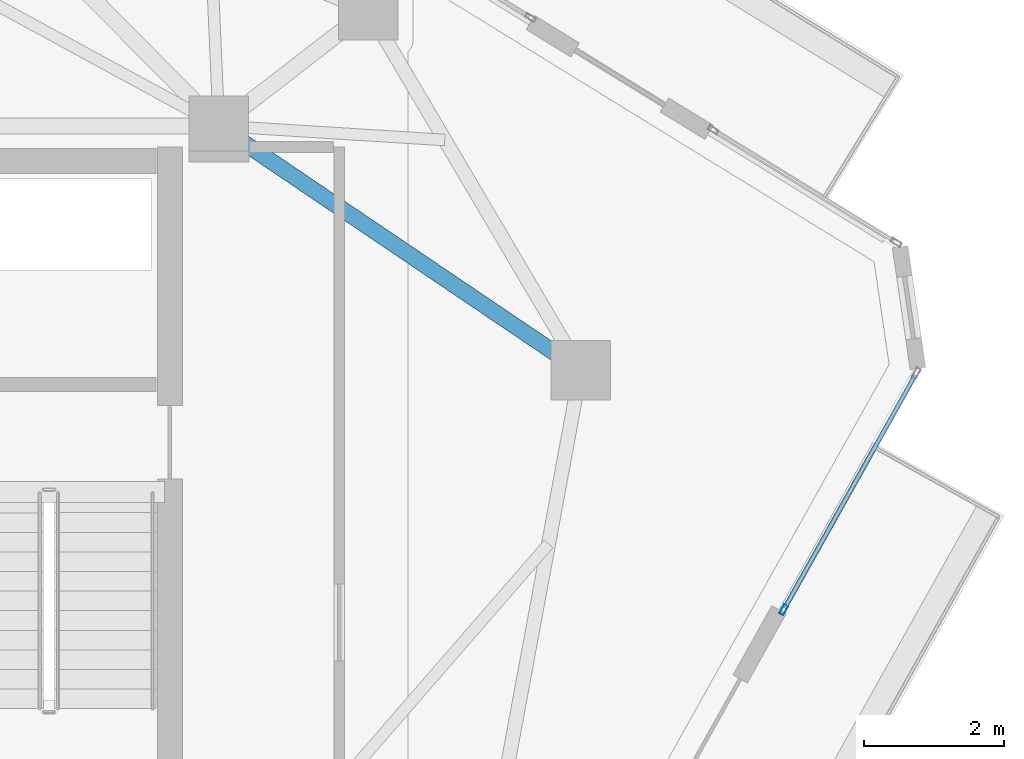
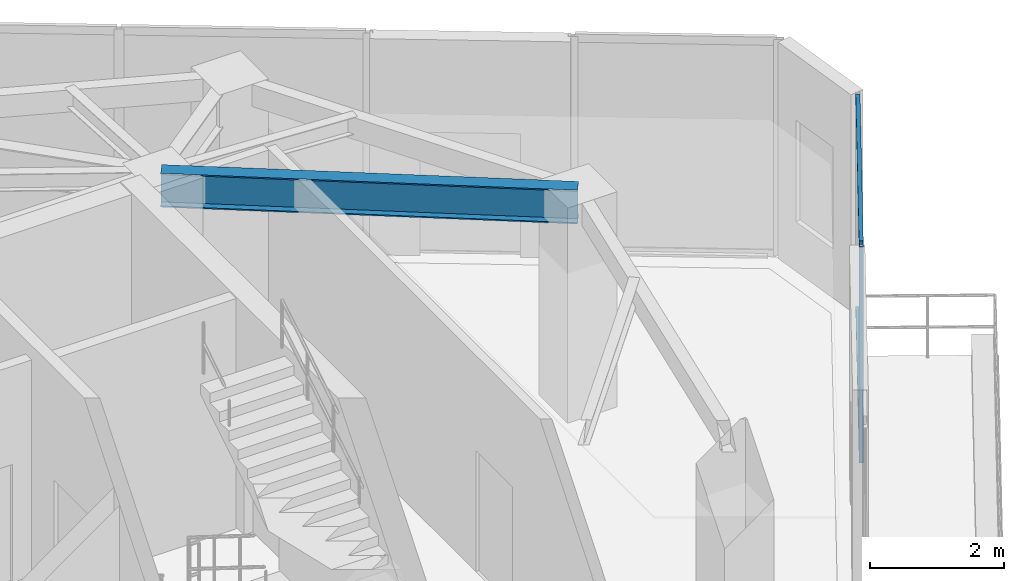
# One storey, part 12 of 20: 3 members, 1 beam, 1 element without a shape of its own.
"""IFC4 building model written with IfcOpenShell, lengths in metres."""

from ifc_helpers import new_model, si_unit, direction, frame, origin, origin_2d, place, context, subcontext, project, spatial, hollow_rectangle, i_section, extrude, source, transform, mapped, material, layer, layer_set, material_profile, profile_set, type_object, type_shapes, element, aggregate, save


model = new_model("IFC4")

# Units and contexts
model_context = context("Model", 3, precision=1e-05, world=origin(), true_north=direction((0.0, 1.0)))
body_context = subcontext(model_context, "Body", "Model", "MODEL_VIEW")
ifc_project = project(units=[si_unit("LENGTHUNIT", "METRE"), si_unit("AREAUNIT", "SQUARE_METRE"), si_unit("VOLUMEUNIT", "CUBIC_METRE"), si_unit("PLANEANGLEUNIT", "RADIAN"), si_unit("MASSUNIT", "GRAM", prefix="KILO")], contexts=[model_context])

# Site, building, storey
site_placement = place(None, origin())
site = spatial("IfcSite", under=ifc_project, at=site_placement, CompositionType="ELEMENT")
building_placement = place(site_placement, origin())
building = spatial("IfcBuilding", under=site, at=building_placement, Name="Talar Marvaseh", CompositionType="ELEMENT")
storey_placement = place(building_placement, frame((0.0, 0.0, 291.800048828125)))
storey = spatial("IfcBuildingStorey", under=building, at=storey_placement, Name="L78", CompositionType="ELEMENT", Elevation=291.800048828125)

# Beam
ifc_material_1 = material(Name="Steel S355", Category="steel")
ifc_material_profile_1 = material_profile(ifc_material_1, i_section(OverallWidth=0.22998046875, OverallDepth=0.616943359375, WebThickness=0.01318359375, FlangeThickness=0.022216796875, at=origin_2d()), Name="W610x140")
ifc_profile_set_1 = profile_set([ifc_material_profile_1], Name="Steel S355")
beam_type = type_object("IfcBeamType", Name="Zone 4 Radial Floor Girder W610x140", PredefinedType="BEAM", material=ifc_profile_set_1)
beam_placement = place(storey_placement, frame((38.470947265625, 33.406005859375, 3.63134765625), z_axis=(-0.828585535277, 0.559862492698, 0.0), x_axis=(-0.559862492698, -0.828585535277, 0.0)))
element("IfcBeam", 1, at=beam_placement, inside=storey, type_object=beam_type, Name="L78 Zone 4 Radial Floor Girder W610x140", PredefinedType="BEAM", context=body_context, shape_type="SweptSolid", body=[
    extrude(i_section(OverallWidth=0.22998046875, OverallDepth=0.616943359375, WebThickness=0.01318359375, FlangeThickness=0.022216796875, at=origin_2d()), origin(), (0.0, 0.0, 1.0), 6.24072265625),
])

# Curtain wall, members
ifc_material_2 = material(Name="Architectural Aluminium", Category="aluminium")
ifc_layer = layer(ifc_material_2, 0.239990234375)
ifc_layer_set = layer_set([ifc_layer], Name="Architectural Aluminium")
curtain_wall_type = type_object("IfcCurtainWallType", Name="Observation Sky Gallery Structural Glass Wall", PredefinedType="NOTDEFINED", material=ifc_layer_set)
curtain_wall_placement = place(storey_placement, origin())
curtain_wall = element("IfcCurtainWall", 2, at=curtain_wall_placement, inside=storey, type_object=curtain_wall_type, Name="L78 Observation Sky Gallery Structural Glass Wall", PredefinedType="NOTDEFINED")
ifc_material_profile_2 = material_profile(ifc_material_2, hollow_rectangle(XDim=0.06494140625, YDim=0.14990234375, WallThickness=0.00390625, at=origin_2d()), Name="RHS150x65x4")
ifc_profile_set_2 = profile_set([ifc_material_profile_2], Name="Architectural Aluminium")
member_type_1 = type_object("IfcMemberType", Name="Unitised Curtain Wall Slim Mullion RHS150x65x4", PredefinedType="MULLION", material=ifc_profile_set_2)
shared_shape_1 = source(origin(), body_context, "Body", "SweptSolid", [
    extrude(hollow_rectangle(XDim=0.06494140625, YDim=0.14990234375, WallThickness=0.00390625, at=origin_2d()), origin(), (0.0, 0.0, 1.0), 3.93994140625),
])
type_shapes(member_type_1, [shared_shape_1])
member_1_placement = place(storey_placement, frame((41.375, 29.983154296875, 0.0), z_axis=(0.0, 0.0, 1.0), x_axis=(0.872426869495, -0.488744675044, 0.0)))
member_1 = element("IfcMember", 3, at=member_1_placement, type_object=member_type_1, Name="CW-OBS mullion 2", PredefinedType="MULLION", context=body_context, shape_type="MappedRepresentation", body=[
    mapped(shared_shape_1, transform((0.0, 0.0, 0.0), x_axis=(1.0, 0.0, 0.0), y_axis=(0.0, 1.0, 0.0), z_axis=(0.0, 0.0, 1.0), scale=1.0)),
])
ifc_material_profile_3 = material_profile(ifc_material_2, hollow_rectangle(XDim=0.06494140625, YDim=0.14990234375, WallThickness=0.00390625, at=origin_2d()), Name="RHS150x65x4")
ifc_profile_set_3 = profile_set([ifc_material_profile_3], Name="Architectural Aluminium")
member_type_2 = type_object("IfcMemberType", Name="Unitised Curtain Wall Slim Transom RHS150x65x4", PredefinedType="USERDEFINED", material=ifc_profile_set_3)
shared_shape_2 = source(origin(), body_context, "Body", "SweptSolid", [
    extrude(hollow_rectangle(XDim=0.06494140625, YDim=0.14990234375, WallThickness=0.00390625, at=origin_2d()), origin(), (0.0, 0.0, 1.0), 3.8134765625),
])
type_shapes(member_type_2, [shared_shape_2])
member_2_placement = place(storey_placement, frame((43.254638671875, 33.33837890625, 0.032470703125), z_axis=(-0.488743727467, -0.872427400339, 0.0), x_axis=(0.872427400339, -0.488743727467, 0.0)))
member_2 = element("IfcMember", 4, at=member_2_placement, type_object=member_type_2, Name="CW-OBS transom 1.1", ObjectType="TRANSOM", PredefinedType="USERDEFINED", context=body_context, shape_type="MappedRepresentation", body=[
    mapped(shared_shape_2, transform((0.0, 0.0, 0.0), x_axis=(1.0, 0.0, 0.0), y_axis=(0.0, 1.0, 0.0), z_axis=(0.0, 0.0, 1.0), scale=1.0)),
])
member_3_placement = place(storey_placement, frame((43.254638671875, 33.33837890625, 3.907470703125), z_axis=(-0.488743727467, -0.872427400339, 0.0), x_axis=(0.872427400339, -0.488743727467, 0.0)))
member_3 = element("IfcMember", 5, at=member_3_placement, type_object=member_type_2, Name="CW-OBS transom 1.2", ObjectType="TRANSOM", PredefinedType="USERDEFINED", context=body_context, shape_type="MappedRepresentation", body=[
    mapped(shared_shape_2, transform((0.0, 0.0, 0.0), x_axis=(1.0, 0.0, 0.0), y_axis=(0.0, 1.0, 0.0), z_axis=(0.0, 0.0, 1.0), scale=1.0)),
])
aggregate(curtain_wall, [member_1, member_2, member_3])

save(model, "model.ifc")
